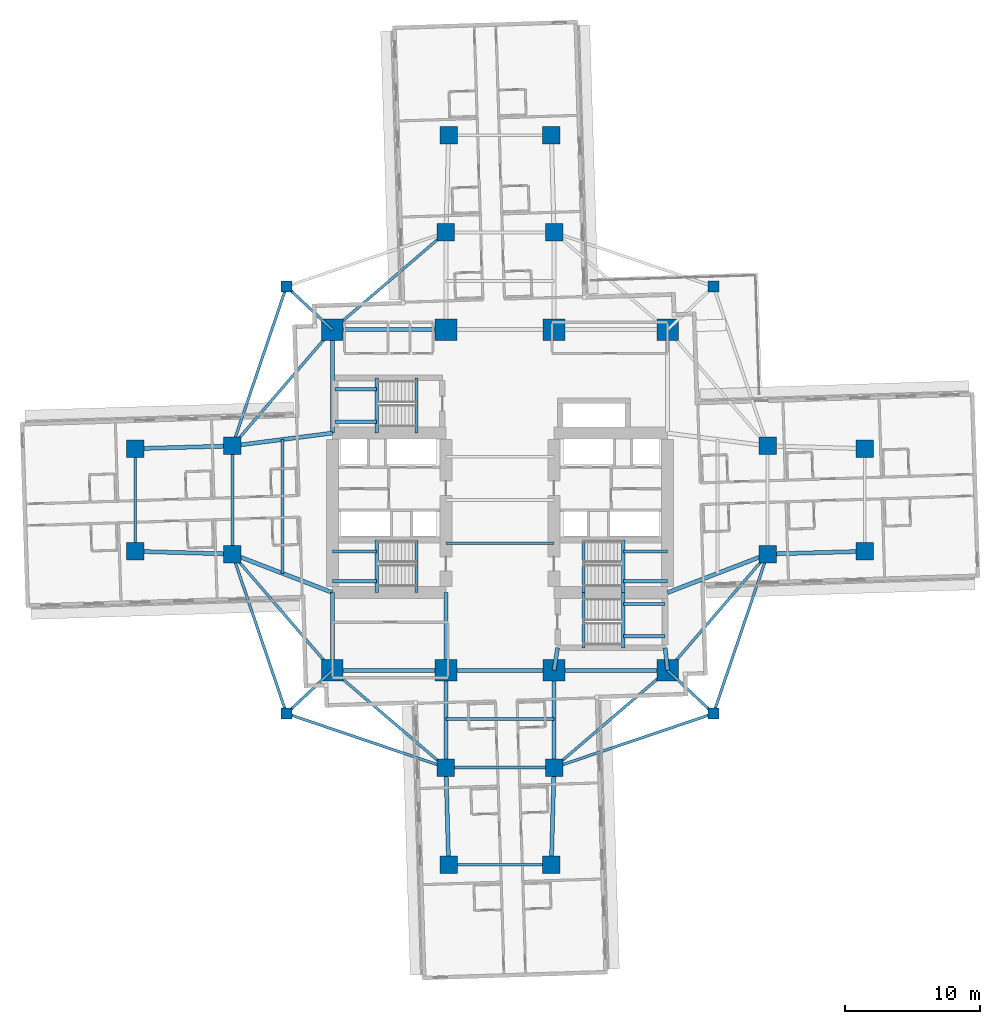
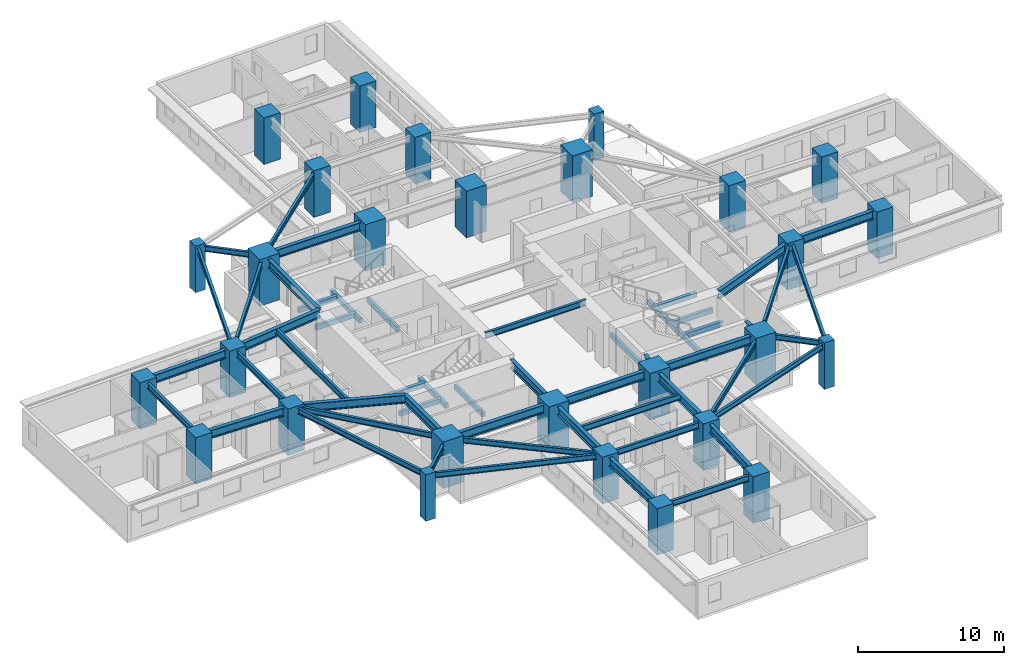
# One storey, part 1 of 15: 56 beams, 28 columns.
"""IFC4 building model written with IfcOpenShell, lengths in metres."""

from ifc_helpers import new_model, si_unit, direction, frame, origin, origin_2d, place, context, subcontext, project, spatial, rectangle, i_section, extrude, material, material_profile, profile_set, type_object, element, save


model = new_model("IFC4")

# Units and contexts
model_context = context("Model", 3, precision=1e-05, world=origin(), true_north=direction((0.0, 1.0)))
body_context = subcontext(model_context, "Body", "Model", "MODEL_VIEW")
ifc_project = project(units=[si_unit("LENGTHUNIT", "METRE"), si_unit("AREAUNIT", "SQUARE_METRE"), si_unit("VOLUMEUNIT", "CUBIC_METRE"), si_unit("PLANEANGLEUNIT", "RADIAN"), si_unit("MASSUNIT", "GRAM", prefix="KILO")], contexts=[model_context])

# Site, building, storey
site_placement = place(None, origin())
site = spatial("IfcSite", under=ifc_project, at=site_placement, CompositionType="ELEMENT")
building_placement = place(site_placement, origin())
building = spatial("IfcBuilding", under=site, at=building_placement, Name="Qingluan Cross Belvedere", CompositionType="ELEMENT")
storey_placement = place(building_placement, frame((0.0, 0.0, 31.5)))
storey = spatial("IfcBuildingStorey", under=building, at=storey_placement, Name="L08", CompositionType="ELEMENT", Elevation=31.5)

# Columns
ifc_material_1 = material(Name="Concrete C60", Category="concrete")
ifc_material_profile_1 = material_profile(ifc_material_1, rectangle(XDim=1.300048828125, YDim=1.300048828125, at=origin_2d()), Name="RC1300x1300")
ifc_profile_set_1 = profile_set([ifc_material_profile_1], Name="Concrete C60")
column_type_1 = type_object("IfcColumnType", Name="Column_RC1300x1300", PredefinedType="COLUMN", material=ifc_profile_set_1)
for number, where, z_axis, x_axis, name in (
    (1, (19.800048828125, -4.0, 0.0), (0.0, 0.0, 1.0), (1.0, 0.0, 0.0), "Arm column L08-EIA"),
    (2, (19.800048828125, 4.0, 0.0), (0.0, 0.0, 1.0), (1.0, 0.0, 0.0), "Arm column L08-EIB"),
    (3, (-19.800048828125, -4.0, 0.0), (0.0, 0.0, 1.0), (1.0, 0.0, 0.0), "Arm column L08-WIA"),
    (4, (-19.800048828125, 4.0, 0.0), (0.0, 0.0, 1.0), (1.0, 0.0, 0.0), "Arm column L08-WIB"),
    (5, (-4.0, -19.800048828125, 0.0), (0.0, 0.0, 1.0), (1.0, 0.0, 0.0), "Arm column L08-SIA"),
    (6, (4.0, -19.800048828125, 0.0), (0.0, 0.0, 1.0), (1.0, 0.0, 0.0), "Arm column L08-SIB"),
    (7, (-4.0, 19.800048828125, 0.0), (0.0, 0.0, 1.0), (1.0, 0.0, 0.0), "Arm column L08-NIA"),
    (8, (4.0, 19.800048828125, 0.0), (0.0, 0.0, 1.0), (1.0, 0.0, 0.0), "Arm column L08-NIB"),
    (9, (27.0, -3.800048828125, 0.0), (0.0, 0.0, 1.0), (1.0, 0.0, 0.0), "Arm column L08-EOA"),
    (10, (27.0, 3.800048828125, 0.0), (0.0, 0.0, 1.0), (1.0, 0.0, 0.0), "Arm column L08-EOB"),
    (11, (-27.0, -3.800048828125, 0.0), (0.0, 0.0, 1.0), (1.0, 0.0, 0.0), "Arm column L08-WOA"),
    (12, (-27.0, 3.800048828125, 0.0), (0.0, 0.0, 1.0), (1.0, 0.0, 0.0), "Arm column L08-WOB"),
    (13, (-3.800048828125, -27.0, 0.0), (0.0, 0.0, 1.0), (1.0, 0.0, 0.0), "Arm column L08-SOA"),
    (14, (3.800048828125, -27.0, 0.0), (0.0, 0.0, 1.0), (1.0, 0.0, 0.0), "Arm column L08-SOB"),
    (15, (-3.800048828125, 27.0, 0.0), (0.0, 0.0, 1.0), (1.0, 0.0, 0.0), "Arm column L08-NOA"),
    (16, (3.800048828125, 27.0, 0.0), (0.0, 0.0, 1.0), (1.0, 0.0, 0.0), "Arm column L08-NOB"),
):
    element("IfcColumn", number, at=place(storey_placement, frame(where, z_axis=z_axis, x_axis=x_axis)), inside=storey, type_object=column_type_1, Name=name, PredefinedType="COLUMN", context=body_context, shape_type="SweptSolid", body=[
        extrude(rectangle(XDim=1.300048828125, YDim=1.300048828125, at=origin_2d()), origin(), (0.0, 0.0, 1.0), 3.89990234375),
    ])
ifc_material_2 = material(Name="Concrete C70", Category="concrete")
ifc_material_profile_2 = material_profile(ifc_material_2, rectangle(XDim=1.60009765625, YDim=1.60009765625, at=origin_2d()), Name="RC1600x1600")
ifc_profile_set_2 = profile_set([ifc_material_profile_2], Name="Concrete C70")
column_type_2 = type_object("IfcColumnType", Name="Column_RC1600x1600", PredefinedType="COLUMN", material=ifc_profile_set_2)
for number, where, z_axis, x_axis, name in (
    (17, (-12.39990234375, -12.60009765625, 0.0), (0.0, 0.0, 1.0), (1.0, 0.0, 0.0), "Hub column L08-HC1"),
    (18, (12.39990234375, -12.60009765625, 0.0), (0.0, 0.0, 1.0), (1.0, 0.0, 0.0), "Hub column L08-HC2"),
    (19, (12.39990234375, 12.60009765625, 0.0), (0.0, 0.0, 1.0), (1.0, 0.0, 0.0), "Hub column L08-HC3"),
    (20, (-12.39990234375, 12.60009765625, 0.0), (0.0, 0.0, 1.0), (1.0, 0.0, 0.0), "Hub column L08-HC4"),
    (21, (-4.0, -12.60009765625, 0.0), (0.0, 0.0, 1.0), (1.0, 0.0, 0.0), "Hub column L08-HC5"),
    (22, (4.0, -12.60009765625, 0.0), (0.0, 0.0, 1.0), (1.0, 0.0, 0.0), "Hub column L08-HC6"),
    (23, (4.0, 12.60009765625, 0.0), (0.0, 0.0, 1.0), (1.0, 0.0, 0.0), "Hub column L08-HC7"),
    (24, (-4.0, 12.60009765625, 0.0), (0.0, 0.0, 1.0), (1.0, 0.0, 0.0), "Hub column L08-HC8"),
):
    element("IfcColumn", number, at=place(storey_placement, frame(where, z_axis=z_axis, x_axis=x_axis)), inside=storey, type_object=column_type_2, Name=name, PredefinedType="COLUMN", context=body_context, shape_type="SweptSolid", body=[
        extrude(rectangle(XDim=1.60009765625, YDim=1.60009765625, at=origin_2d()), origin(), (0.0, 0.0, 1.0), 3.89990234375),
    ])
ifc_material_3 = material(Name="Concrete C50", Category="concrete")
ifc_material_profile_3 = material_profile(ifc_material_3, rectangle(XDim=0.800048828125, YDim=0.800048828125, at=origin_2d()), Name="RC800x800")
ifc_profile_set_3 = profile_set([ifc_material_profile_3], Name="Concrete C50")
column_type_3 = type_object("IfcColumnType", Name="Column_RC800x800", PredefinedType="COLUMN", material=ifc_profile_set_3)
for number, where, z_axis, x_axis, name in (
    (25, (15.800048828125, 15.800048828125, 0.0), (0.0, 0.0, 1.0), (1.0, 0.0, 0.0), "Corner column L08-RNE"),
    (26, (-15.800048828125, 15.800048828125, 0.0), (0.0, 0.0, 1.0), (1.0, 0.0, 0.0), "Corner column L08-RNW"),
    (27, (-15.800048828125, -15.800048828125, 0.0), (0.0, 0.0, 1.0), (1.0, 0.0, 0.0), "Corner column L08-RSW"),
    (28, (15.800048828125, -15.800048828125, 0.0), (0.0, 0.0, 1.0), (1.0, 0.0, 0.0), "Corner column L08-RSE"),
):
    element("IfcColumn", number, at=place(storey_placement, frame(where, z_axis=z_axis, x_axis=x_axis)), inside=storey, type_object=column_type_3, Name=name, PredefinedType="COLUMN", context=body_context, shape_type="SweptSolid", body=[
        extrude(rectangle(XDim=0.800048828125, YDim=0.800048828125, at=origin_2d()), origin(), (0.0, 0.0, 1.0), 3.89990234375),
    ])

# Beams
ifc_material_4 = material(Name="Concrete C45", Category="concrete")
ifc_material_profile_4 = material_profile(ifc_material_4, rectangle(XDim=0.25, YDim=0.39990234375, at=origin_2d()), Name="RC250x400")
ifc_profile_set_4 = profile_set([ifc_material_profile_4], Name="Concrete C45")
beam_type_1 = type_object("IfcBeamType", Name="RC_Lintel_RC250x400", PredefinedType="LINTEL", material=ifc_profile_set_4)
for number, where, z_axis, x_axis, name in (
    (29, (-6.179931640625, -6.85009765625, -0.199951171875), (0.0, 1.0, 0.0), (-1.0, 0.0, 0.0), "Stair ST1 landing beam L08"),
    (30, (6.179931640625, -6.85009765625, -0.199951171875), (0.0, 1.0, 0.0), (-1.0, 0.0, 0.0), "Stair ST2 landing beam L08"),
):
    element("IfcBeam", number, at=place(storey_placement, frame(where, z_axis=z_axis, x_axis=x_axis)), inside=storey, type_object=beam_type_1, Name=name, PredefinedType="LINTEL", context=body_context, shape_type="SweptSolid", body=[
        extrude(rectangle(XDim=0.25, YDim=0.39990234375, at=origin_2d()), origin(), (0.0, 0.0, 1.0), 3.89013671875),
    ])
beam_1_placement = place(storey_placement, frame((-6.179931640625, 4.949951171875, -0.199951171875), z_axis=(0.0, 1.0, 0.0), x_axis=(-1.0, 0.0, 0.0)))
element("IfcBeam", 31, at=beam_1_placement, inside=storey, type_object=beam_type_1, Name="Stair ST3 landing beam L08", PredefinedType="LINTEL", context=body_context, shape_type="SweptSolid", body=[
    extrude(rectangle(XDim=0.25, YDim=0.39990234375, at=origin_2d()), origin(), (0.0, 0.0, 1.0), 4.090087890625),
])
beam_2_placement = place(storey_placement, frame((6.179931640625, -10.93994140625, -0.199951171875), z_axis=(0.0, 1.0, 0.0), x_axis=(-1.0, 0.0, 0.0)))
element("IfcBeam", 32, at=beam_2_placement, inside=storey, type_object=beam_type_1, Name="Stair ST4 landing beam L08", PredefinedType="LINTEL", context=body_context, shape_type="SweptSolid", body=[
    extrude(rectangle(XDim=0.25, YDim=0.39990234375, at=origin_2d()), origin(), (0.0, 0.0, 1.0), 4.08984375),
])
beam_3_placement = place(storey_placement, frame((-9.1298828125, -6.85009765625, 1.550048828125), z_axis=(0.0, 1.0, 0.0), x_axis=(-1.0, 0.0, 0.0)))
element("IfcBeam", 33, at=beam_3_placement, inside=storey, type_object=beam_type_1, Name="Stair ST1 beam A L08", PredefinedType="LINTEL", context=body_context, shape_type="SweptSolid", body=[
    extrude(rectangle(XDim=0.25, YDim=0.39990234375, at=origin_2d()), origin(), (0.0, 0.0, 1.0), 3.89013671875),
])
for number, where, z_axis, x_axis, name in (
    (34, (-12.39990234375, -6.0, 1.550048828125), (1.0, 0.0, 0.0), (0.0, 1.0, 0.0), "Stair ST1 beam B L08"),
    (35, (-12.39990234375, -3.81005859375, 1.550048828125), (1.0, 0.0, 0.0), (0.0, 1.0, 0.0), "Stair ST1 beam C L08"),
):
    element("IfcBeam", number, at=place(storey_placement, frame(where, z_axis=z_axis, x_axis=x_axis)), inside=storey, type_object=beam_type_1, Name=name, PredefinedType="LINTEL", context=body_context, shape_type="SweptSolid", body=[
        extrude(rectangle(XDim=0.25, YDim=0.39990234375, at=origin_2d()), origin(), (0.0, 0.0, 1.0), 3.27001953125),
    ])
beam_4_placement = place(storey_placement, frame((9.1298828125, -6.85009765625, 1.550048828125), z_axis=(0.0, 1.0, 0.0), x_axis=(-1.0, 0.0, 0.0)))
element("IfcBeam", 36, at=beam_4_placement, inside=storey, type_object=beam_type_1, Name="Stair ST2 beam A L08", PredefinedType="LINTEL", context=body_context, shape_type="SweptSolid", body=[
    extrude(rectangle(XDim=0.25, YDim=0.39990234375, at=origin_2d()), origin(), (0.0, 0.0, 1.0), 3.89013671875),
])
for number, where, z_axis, x_axis, name in (
    (37, (12.39990234375, -6.0, 1.550048828125), (-1.0, 0.0, 0.0), (0.0, -1.0, 0.0), "Stair ST2 beam B L08"),
    (38, (12.39990234375, -3.81005859375, 1.550048828125), (-1.0, 0.0, 0.0), (0.0, -1.0, 0.0), "Stair ST2 beam C L08"),
):
    element("IfcBeam", number, at=place(storey_placement, frame(where, z_axis=z_axis, x_axis=x_axis)), inside=storey, type_object=beam_type_1, Name=name, PredefinedType="LINTEL", context=body_context, shape_type="SweptSolid", body=[
        extrude(rectangle(XDim=0.25, YDim=0.39990234375, at=origin_2d()), origin(), (0.0, 0.0, 1.0), 3.27001953125),
    ])
beam_5_placement = place(storey_placement, frame((-9.1298828125, 4.949951171875, 1.550048828125), z_axis=(0.0, 1.0, 0.0), x_axis=(-1.0, 0.0, 0.0)))
element("IfcBeam", 39, at=beam_5_placement, inside=storey, type_object=beam_type_1, Name="Stair ST3 beam A L08", PredefinedType="LINTEL", context=body_context, shape_type="SweptSolid", body=[
    extrude(rectangle(XDim=0.25, YDim=0.39990234375, at=origin_2d()), origin(), (0.0, 0.0, 1.0), 4.090087890625),
])
for number, where, z_axis, x_axis, name in (
    (40, (-12.219970703125, 5.800048828125, 1.550048828125), (1.0, 0.0, 0.0), (0.0, 1.0, 0.0), "Stair ST3 beam B L08"),
    (41, (-12.219970703125, 8.18994140625, 1.550048828125), (1.0, 0.0, 0.0), (0.0, 1.0, 0.0), "Stair ST3 beam C L08"),
):
    element("IfcBeam", number, at=place(storey_placement, frame(where, z_axis=z_axis, x_axis=x_axis)), inside=storey, type_object=beam_type_1, Name=name, PredefinedType="LINTEL", context=body_context, shape_type="SweptSolid", body=[
        extrude(rectangle(XDim=0.25, YDim=0.39990234375, at=origin_2d()), origin(), (0.0, 0.0, 1.0), 3.090087890625),
    ])
beam_6_placement = place(storey_placement, frame((9.1298828125, -10.93994140625, 1.550048828125), z_axis=(0.0, 1.0, 0.0), x_axis=(-1.0, 0.0, 0.0)))
element("IfcBeam", 42, at=beam_6_placement, inside=storey, type_object=beam_type_1, Name="Stair ST4 beam A L08", PredefinedType="LINTEL", context=body_context, shape_type="SweptSolid", body=[
    extrude(rectangle(XDim=0.25, YDim=0.39990234375, at=origin_2d()), origin(), (0.0, 0.0, 1.0), 4.08984375),
])
for number, where, z_axis, x_axis, name in (
    (43, (12.219970703125, -10.090087890625, 1.550048828125), (-1.0, 0.0, 0.0), (0.0, -1.0, 0.0), "Stair ST4 beam B L08"),
    (44, (12.219970703125, -7.699951171875, 1.550048828125), (-1.0, 0.0, 0.0), (0.0, -1.0, 0.0), "Stair ST4 beam C L08"),
):
    element("IfcBeam", number, at=place(storey_placement, frame(where, z_axis=z_axis, x_axis=x_axis)), inside=storey, type_object=beam_type_1, Name=name, PredefinedType="LINTEL", context=body_context, shape_type="SweptSolid", body=[
        extrude(rectangle(XDim=0.25, YDim=0.39990234375, at=origin_2d()), origin(), (0.0, 0.0, 1.0), 3.090087890625),
    ])
ifc_material_5 = material(Name="Steel Q420GJB", Category="steel")
ifc_material_profile_5 = material_profile(ifc_material_5, i_section(OverallWidth=0.199951171875, OverallDepth=0.449951171875, WebThickness=0.009033203125, FlangeThickness=0.013916015625, FilletRadius=0.01611328125, at=origin_2d()), Name="HN450x200x9x14")
ifc_profile_set_5 = profile_set([ifc_material_profile_5], Name="Steel Q420GJB")
beam_type_2 = type_object("IfcBeamType", Name="Steel_Beam_HN450x200x9x14", PredefinedType="JOIST", material=ifc_profile_set_5)
beam_7_placement = place(storey_placement, frame((-12.39990234375, 12.60009765625, 3.455078125), z_axis=(-0.728219948308, 0.685343495546, 0.0), x_axis=(-0.685343495546, -0.728219948308, 0.0)))
element("IfcBeam", 45, at=beam_7_placement, inside=storey, type_object=beam_type_2, Name="Corner beam 1 L08-RNW", PredefinedType="JOIST", context=body_context, shape_type="SweptSolid", body=[
    extrude(i_section(OverallWidth=0.199951171875, OverallDepth=0.449951171875, WebThickness=0.009033203125, FlangeThickness=0.013916015625, FilletRadius=0.01611328125, at=origin_2d()), origin(), (0.0, 0.0, 1.0), 4.669189453125),
])
beam_8_placement = place(storey_placement, frame((-15.800048828125, 15.800048828125, 3.455078125), z_axis=(-0.321038089628, -0.947066283324, 0.0), x_axis=(0.947066283324, -0.321038089628, 0.0)))
element("IfcBeam", 46, at=beam_8_placement, inside=storey, type_object=beam_type_2, Name="Corner beam 3 L08-RNW", PredefinedType="JOIST", context=body_context, shape_type="SweptSolid", body=[
    extrude(i_section(OverallWidth=0.199951171875, OverallDepth=0.449951171875, WebThickness=0.009033203125, FlangeThickness=0.013916015625, FilletRadius=0.01611328125, at=origin_2d()), origin(), (0.0, 0.0, 1.0), 12.45947265625),
])
beam_9_placement = place(storey_placement, frame((-12.39990234375, 12.60009765625, 3.455078125), z_axis=(-0.652245077546, -0.75800815221, 0.0), x_axis=(0.75800815221, -0.652245077546, 0.0)))
element("IfcBeam", 47, at=beam_9_placement, inside=storey, type_object=beam_type_2, Name="Corner beam 4 L08-RNW", PredefinedType="JOIST", context=body_context, shape_type="SweptSolid", body=[
    extrude(i_section(OverallWidth=0.199951171875, OverallDepth=0.449951171875, WebThickness=0.009033203125, FlangeThickness=0.013916015625, FilletRadius=0.01611328125, at=origin_2d()), origin(), (0.0, 0.0, 1.0), 11.345703125),
])
beam_10_placement = place(storey_placement, frame((-12.39990234375, 12.60009765625, 3.455078125), z_axis=(0.759255044656, 0.650793190779, 0.0), x_axis=(-0.650793190779, 0.759255044656, 0.0)))
element("IfcBeam", 48, at=beam_10_placement, inside=storey, type_object=beam_type_2, Name="Corner beam 5 L08-RNW", PredefinedType="JOIST", context=body_context, shape_type="SweptSolid", body=[
    extrude(i_section(OverallWidth=0.199951171875, OverallDepth=0.449951171875, WebThickness=0.009033203125, FlangeThickness=0.013916015625, FilletRadius=0.01611328125, at=origin_2d()), origin(), (0.0, 0.0, 1.0), 11.063232421875),
])
beam_11_placement = place(storey_placement, frame((-12.39990234375, -12.60009765625, 3.47509765625), z_axis=(-0.728219948308, -0.685343495546, 0.0), x_axis=(0.685343495546, -0.728219948308, 0.0)))
element("IfcBeam", 49, at=beam_11_placement, inside=storey, type_object=beam_type_2, Name="Corner beam 1 L08-RSW", PredefinedType="JOIST", context=body_context, shape_type="SweptSolid", body=[
    extrude(i_section(OverallWidth=0.199951171875, OverallDepth=0.449951171875, WebThickness=0.009033203125, FlangeThickness=0.013916015625, FilletRadius=0.01611328125, at=origin_2d()), origin(), (0.0, 0.0, 1.0), 4.669189453125),
])
for number, where, z_axis, x_axis, name in (
    (50, (-15.800048828125, -15.800048828125, 3.47509765625), (0.947066283324, -0.321038089628, 0.0), (0.321038089628, 0.947066283324, 0.0), "Corner beam 2 L08-RSW"),
    (51, (-15.800048828125, -15.800048828125, 3.47509765625), (-0.321038089628, 0.947066283324, 0.0), (-0.947066283324, -0.321038089628, 0.0), "Corner beam 3 L08-RSW"),
):
    element("IfcBeam", number, at=place(storey_placement, frame(where, z_axis=z_axis, x_axis=x_axis)), inside=storey, type_object=beam_type_2, Name=name, PredefinedType="JOIST", context=body_context, shape_type="SweptSolid", body=[
        extrude(i_section(OverallWidth=0.199951171875, OverallDepth=0.449951171875, WebThickness=0.009033203125, FlangeThickness=0.013916015625, FilletRadius=0.01611328125, at=origin_2d()), origin(), (0.0, 0.0, 1.0), 12.45947265625),
    ])
beam_12_placement = place(storey_placement, frame((-12.39990234375, -12.60009765625, 3.47509765625), z_axis=(-0.652245077546, 0.75800815221, 0.0), x_axis=(-0.75800815221, -0.652245077546, 0.0)))
element("IfcBeam", 52, at=beam_12_placement, inside=storey, type_object=beam_type_2, Name="Corner beam 4 L08-RSW", PredefinedType="JOIST", context=body_context, shape_type="SweptSolid", body=[
    extrude(i_section(OverallWidth=0.199951171875, OverallDepth=0.449951171875, WebThickness=0.009033203125, FlangeThickness=0.013916015625, FilletRadius=0.01611328125, at=origin_2d()), origin(), (0.0, 0.0, 1.0), 11.345703125),
])
beam_13_placement = place(storey_placement, frame((-12.39990234375, -12.60009765625, 3.47509765625), z_axis=(0.759255044656, -0.650793190779, 0.0), x_axis=(0.650793190779, 0.759255044656, 0.0)))
element("IfcBeam", 53, at=beam_13_placement, inside=storey, type_object=beam_type_2, Name="Corner beam 5 L08-RSW", PredefinedType="JOIST", context=body_context, shape_type="SweptSolid", body=[
    extrude(i_section(OverallWidth=0.199951171875, OverallDepth=0.449951171875, WebThickness=0.009033203125, FlangeThickness=0.013916015625, FilletRadius=0.01611328125, at=origin_2d()), origin(), (0.0, 0.0, 1.0), 11.063232421875),
])
beam_14_placement = place(storey_placement, frame((12.39990234375, -12.60009765625, 3.47509765625), z_axis=(0.728219948308, -0.685343495546, 0.0), x_axis=(0.685343495546, 0.728219948308, 0.0)))
element("IfcBeam", 54, at=beam_14_placement, inside=storey, type_object=beam_type_2, Name="Corner beam 1 L08-RSE", PredefinedType="JOIST", context=body_context, shape_type="SweptSolid", body=[
    extrude(i_section(OverallWidth=0.199951171875, OverallDepth=0.449951171875, WebThickness=0.009033203125, FlangeThickness=0.013916015625, FilletRadius=0.01611328125, at=origin_2d()), origin(), (0.0, 0.0, 1.0), 4.669189453125),
])
for number, where, z_axis, x_axis, name in (
    (55, (15.800048828125, -15.800048828125, 3.47509765625), (-0.947066283324, -0.321038089628, 0.0), (0.321038089628, -0.947066283324, 0.0), "Corner beam 2 L08-RSE"),
    (56, (15.800048828125, -15.800048828125, 3.47509765625), (0.321038089628, 0.947066283324, 0.0), (-0.947066283324, 0.321038089628, 0.0), "Corner beam 3 L08-RSE"),
):
    element("IfcBeam", number, at=place(storey_placement, frame(where, z_axis=z_axis, x_axis=x_axis)), inside=storey, type_object=beam_type_2, Name=name, PredefinedType="JOIST", context=body_context, shape_type="SweptSolid", body=[
        extrude(i_section(OverallWidth=0.199951171875, OverallDepth=0.449951171875, WebThickness=0.009033203125, FlangeThickness=0.013916015625, FilletRadius=0.01611328125, at=origin_2d()), origin(), (0.0, 0.0, 1.0), 12.45947265625),
    ])
beam_15_placement = place(storey_placement, frame((12.39990234375, -12.60009765625, 3.47509765625), z_axis=(0.652245077546, 0.75800815221, 0.0), x_axis=(-0.75800815221, 0.652245077546, 0.0)))
element("IfcBeam", 57, at=beam_15_placement, inside=storey, type_object=beam_type_2, Name="Corner beam 4 L08-RSE", PredefinedType="JOIST", context=body_context, shape_type="SweptSolid", body=[
    extrude(i_section(OverallWidth=0.199951171875, OverallDepth=0.449951171875, WebThickness=0.009033203125, FlangeThickness=0.013916015625, FilletRadius=0.01611328125, at=origin_2d()), origin(), (0.0, 0.0, 1.0), 11.345703125),
])
beam_16_placement = place(storey_placement, frame((12.39990234375, -12.60009765625, 3.47509765625), z_axis=(-0.759255044656, -0.650793190779, 0.0), x_axis=(0.650793190779, -0.759255044656, 0.0)))
element("IfcBeam", 58, at=beam_16_placement, inside=storey, type_object=beam_type_2, Name="Corner beam 5 L08-RSE", PredefinedType="JOIST", context=body_context, shape_type="SweptSolid", body=[
    extrude(i_section(OverallWidth=0.199951171875, OverallDepth=0.449951171875, WebThickness=0.009033203125, FlangeThickness=0.013916015625, FilletRadius=0.01611328125, at=origin_2d()), origin(), (0.0, 0.0, 1.0), 11.063232421875),
])
ifc_material_6 = material(Name="Steel Q420GJB", Category="steel")
ifc_material_profile_6 = material_profile(ifc_material_6, i_section(OverallWidth=0.199951171875, OverallDepth=0.5, WebThickness=0.010009765625, FlangeThickness=0.01611328125, FilletRadius=0.01611328125, at=origin_2d()), Name="HN500x200x10x16")
ifc_profile_set_6 = profile_set([ifc_material_profile_6], Name="Steel Q420GJB")
beam_type_3 = type_object("IfcBeamType", Name="Steel_Beam_HN500x200x10x16", PredefinedType="JOIST", material=ifc_profile_set_6)
for number, where, z_axis, x_axis, name in (
    (59, (-4.0, -3.199951171875, 3.449951171875), (1.0, 0.0, 0.0), (0.0, 1.0, 0.0), "Hall beam L08-CH1"),
    (60, (-19.800048828125, -4.0, 3.449951171875), (0.0, 1.0, 0.0), (-1.0, 0.0, 0.0), "Arm W tie L08"),
):
    element("IfcBeam", number, at=place(storey_placement, frame(where, z_axis=z_axis, x_axis=x_axis)), inside=storey, type_object=beam_type_3, Name=name, PredefinedType="JOIST", context=body_context, shape_type="SweptSolid", body=[
        extrude(i_section(OverallWidth=0.199951171875, OverallDepth=0.5, WebThickness=0.010009765625, FlangeThickness=0.01611328125, FilletRadius=0.01611328125, at=origin_2d()), origin(), (0.0, 0.0, 1.0), 8.0),
    ])
beam_17_placement = place(storey_placement, frame((-16.10009765625, -5.425048828125, 3.449951171875), z_axis=(0.0, 1.0, 0.0), x_axis=(-1.0, 0.0, 0.0)))
element("IfcBeam", 61, at=beam_17_placement, inside=storey, type_object=beam_type_3, Name="Arm W beam L08", PredefinedType="JOIST", context=body_context, shape_type="SweptSolid", body=[
    extrude(i_section(OverallWidth=0.199951171875, OverallDepth=0.5, WebThickness=0.010009765625, FlangeThickness=0.01611328125, FilletRadius=0.01611328125, at=origin_2d()), origin(), (0.0, 0.0, 1.0), 9.900146484375),
])
beam_18_placement = place(storey_placement, frame((-27.0, -3.800048828125, 3.449951171875), z_axis=(0.0, 1.0, 0.0), x_axis=(-1.0, 0.0, 0.0)))
element("IfcBeam", 62, at=beam_18_placement, inside=storey, type_object=beam_type_3, Name="Arm W tip transverse beam L08", PredefinedType="JOIST", context=body_context, shape_type="SweptSolid", body=[
    extrude(i_section(OverallWidth=0.199951171875, OverallDepth=0.5, WebThickness=0.010009765625, FlangeThickness=0.01611328125, FilletRadius=0.01611328125, at=origin_2d()), origin(), (0.0, 0.0, 1.0), 7.60009765625),
])
for number, where, z_axis, x_axis, name in (
    (63, (-4.0, -19.800048828125, 3.449951171875), (1.0, 0.0, 0.0), (0.0, 1.0, 0.0), "Arm S tie L08"),
    (64, (-4.0, -16.199951171875, 3.449951171875), (1.0, 0.0, 0.0), (0.0, 1.0, 0.0), "Arm S beam L08"),
):
    element("IfcBeam", number, at=place(storey_placement, frame(where, z_axis=z_axis, x_axis=x_axis)), inside=storey, type_object=beam_type_3, Name=name, PredefinedType="JOIST", context=body_context, shape_type="SweptSolid", body=[
        extrude(i_section(OverallWidth=0.199951171875, OverallDepth=0.5, WebThickness=0.010009765625, FlangeThickness=0.01611328125, FilletRadius=0.01611328125, at=origin_2d()), origin(), (0.0, 0.0, 1.0), 8.0),
    ])
beam_19_placement = place(storey_placement, frame((-3.800048828125, -27.0, 3.449951171875), z_axis=(1.0, 0.0, 0.0), x_axis=(0.0, 1.0, 0.0)))
element("IfcBeam", 65, at=beam_19_placement, inside=storey, type_object=beam_type_3, Name="Arm S tip transverse beam L08", PredefinedType="JOIST", context=body_context, shape_type="SweptSolid", body=[
    extrude(i_section(OverallWidth=0.199951171875, OverallDepth=0.5, WebThickness=0.010009765625, FlangeThickness=0.01611328125, FilletRadius=0.01611328125, at=origin_2d()), origin(), (0.0, 0.0, 1.0), 7.60009765625),
])
ifc_material_7 = material(Name="Steel Q420GJB", Category="steel")
ifc_material_profile_7 = material_profile(ifc_material_7, i_section(OverallWidth=0.300048828125, OverallDepth=0.699951171875, WebThickness=0.014892578125, FlangeThickness=0.027099609375, FilletRadius=0.027099609375, at=origin_2d()), Name="HEB700")
ifc_profile_set_7 = profile_set([ifc_material_profile_7], Name="Steel Q420GJB")
beam_type_4 = type_object("IfcBeamType", Name="Steel_Girder_HEB700", PredefinedType="USERDEFINED", material=ifc_profile_set_7)
beam_20_placement = place(storey_placement, frame((-12.39990234375, -12.60009765625, 3.35009765625), z_axis=(1.0, 0.0, 0.0), x_axis=(0.0, 1.0, 0.0)))
element("IfcBeam", 66, at=beam_20_placement, inside=storey, type_object=beam_type_4, Name="Hub girder L08-HG-S1", ObjectType="GIRDER", PredefinedType="USERDEFINED", context=body_context, shape_type="SweptSolid", body=[
    extrude(i_section(OverallWidth=0.300048828125, OverallDepth=0.699951171875, WebThickness=0.014892578125, FlangeThickness=0.027099609375, FilletRadius=0.027099609375, at=origin_2d()), origin(), (0.0, 0.0, 1.0), 8.39990234375),
])
beam_21_placement = place(storey_placement, frame((-4.0, -12.60009765625, 3.35009765625), z_axis=(1.0, 0.0, 0.0), x_axis=(0.0, 1.0, 0.0)))
element("IfcBeam", 67, at=beam_21_placement, inside=storey, type_object=beam_type_4, Name="Hub girder L08-HG-S2", ObjectType="GIRDER", PredefinedType="USERDEFINED", context=body_context, shape_type="SweptSolid", body=[
    extrude(i_section(OverallWidth=0.300048828125, OverallDepth=0.699951171875, WebThickness=0.014892578125, FlangeThickness=0.027099609375, FilletRadius=0.027099609375, at=origin_2d()), origin(), (0.0, 0.0, 1.0), 8.0),
])
for number, where, z_axis, x_axis, name in (
    (68, (4.0, -12.60009765625, 3.35009765625), (1.0, 0.0, 0.0), (0.0, 1.0, 0.0), "Hub girder L08-HG-S3"),
    (69, (-12.39990234375, 12.60009765625, 3.35009765625), (1.0, 0.0, 0.0), (0.0, 1.0, 0.0), "Hub girder L08-HG-N1"),
):
    element("IfcBeam", number, at=place(storey_placement, frame(where, z_axis=z_axis, x_axis=x_axis)), inside=storey, type_object=beam_type_4, Name=name, ObjectType="GIRDER", PredefinedType="USERDEFINED", context=body_context, shape_type="SweptSolid", body=[
        extrude(i_section(OverallWidth=0.300048828125, OverallDepth=0.699951171875, WebThickness=0.014892578125, FlangeThickness=0.027099609375, FilletRadius=0.027099609375, at=origin_2d()), origin(), (0.0, 0.0, 1.0), 8.39990234375),
    ])
beam_22_placement = place(storey_placement, frame((-12.39990234375, -12.60009765625, 3.35009765625), z_axis=(0.0, 1.0, 0.0), x_axis=(-1.0, 0.0, 0.0)))
element("IfcBeam", 70, at=beam_22_placement, inside=storey, type_object=beam_type_4, Name="Hub girder L08-HG-W1", ObjectType="GIRDER", PredefinedType="USERDEFINED", context=body_context, shape_type="SweptSolid", body=[
    extrude(i_section(OverallWidth=0.300048828125, OverallDepth=0.699951171875, WebThickness=0.014892578125, FlangeThickness=0.027099609375, FilletRadius=0.027099609375, at=origin_2d()), origin(), (0.0, 0.0, 1.0), 5.75),
])
beam_23_placement = place(storey_placement, frame((-12.39990234375, 4.949951171875, 3.35009765625), z_axis=(0.0, 1.0, 0.0), x_axis=(-1.0, 0.0, 0.0)))
element("IfcBeam", 71, at=beam_23_placement, inside=storey, type_object=beam_type_4, Name="Hub girder L08-HG-W2", ObjectType="GIRDER", PredefinedType="USERDEFINED", context=body_context, shape_type="SweptSolid", body=[
    extrude(i_section(OverallWidth=0.300048828125, OverallDepth=0.699951171875, WebThickness=0.014892578125, FlangeThickness=0.027099609375, FilletRadius=0.027099609375, at=origin_2d()), origin(), (0.0, 0.0, 1.0), 7.650146484375),
])
beam_24_placement = place(storey_placement, frame((12.39990234375, -12.60009765625, 3.35009765625), z_axis=(-0.107751337451, 0.994177876075, 0.0), x_axis=(-0.994177876075, -0.107751337451, 0.0)))
element("IfcBeam", 72, at=beam_24_placement, inside=storey, type_object=beam_type_4, Name="Hub girder L08-HG-E1", ObjectType="GIRDER", PredefinedType="USERDEFINED", context=body_context, shape_type="SweptSolid", body=[
    extrude(i_section(OverallWidth=0.300048828125, OverallDepth=0.699951171875, WebThickness=0.014892578125, FlangeThickness=0.027099609375, FilletRadius=0.027099609375, at=origin_2d()), origin(), (0.0, 0.0, 1.0), 1.669921875),
])
beam_25_placement = place(storey_placement, frame((-4.0, -12.60009765625, 3.35009765625), z_axis=(0.0, 1.0, 0.0), x_axis=(-1.0, 0.0, 0.0)))
element("IfcBeam", 73, at=beam_25_placement, inside=storey, type_object=beam_type_4, Name="Hub girder L08-HG-CW", ObjectType="GIRDER", PredefinedType="USERDEFINED", context=body_context, shape_type="SweptSolid", body=[
    extrude(i_section(OverallWidth=0.300048828125, OverallDepth=0.699951171875, WebThickness=0.014892578125, FlangeThickness=0.027099609375, FilletRadius=0.027099609375, at=origin_2d()), origin(), (0.0, 0.0, 1.0), 5.75),
])
beam_26_placement = place(storey_placement, frame((4.0, -12.60009765625, 3.35009765625), z_axis=(0.154731433337, 0.987956569662, 0.0), x_axis=(-0.987956569662, 0.154731433337, 0.0)))
element("IfcBeam", 74, at=beam_26_placement, inside=storey, type_object=beam_type_4, Name="Hub girder L08-HG-CE", ObjectType="GIRDER", PredefinedType="USERDEFINED", context=body_context, shape_type="SweptSolid", body=[
    extrude(i_section(OverallWidth=0.300048828125, OverallDepth=0.699951171875, WebThickness=0.014892578125, FlangeThickness=0.027099609375, FilletRadius=0.027099609375, at=origin_2d()), origin(), (0.0, 0.0, 1.0), 1.680419921875),
])
beam_27_placement = place(storey_placement, frame((12.39990234375, -6.85009765625, 3.35009765625), z_axis=(0.933181258889, 0.359406090735, 0.0), x_axis=(-0.359406090735, 0.933181258889, 0.0)))
element("IfcBeam", 75, at=beam_27_placement, inside=storey, type_object=beam_type_4, Name="Arm E radial girder A L08", ObjectType="GIRDER", PredefinedType="USERDEFINED", context=body_context, shape_type="SweptSolid", body=[
    extrude(i_section(OverallWidth=0.300048828125, OverallDepth=0.699951171875, WebThickness=0.014892578125, FlangeThickness=0.027099609375, FilletRadius=0.027099609375, at=origin_2d()), origin(), (0.0, 0.0, 1.0), 7.929931640625),
])
beam_28_placement = place(storey_placement, frame((19.800048828125, -4.0, 3.35009765625), z_axis=(0.999614603568, 0.027760481514, 0.0), x_axis=(-0.027760481514, 0.999614603568, 0.0)))
element("IfcBeam", 76, at=beam_28_placement, inside=storey, type_object=beam_type_4, Name="Arm E outer radial girder A L08", ObjectType="GIRDER", PredefinedType="USERDEFINED", context=body_context, shape_type="SweptSolid", body=[
    extrude(i_section(OverallWidth=0.300048828125, OverallDepth=0.699951171875, WebThickness=0.014892578125, FlangeThickness=0.027099609375, FilletRadius=0.027099609375, at=origin_2d()), origin(), (0.0, 0.0, 1.0), 7.20263671875),
])
beam_29_placement = place(storey_placement, frame((-12.39990234375, -6.85009765625, 3.35009765625), z_axis=(-0.933181258889, 0.359406090735, 0.0), x_axis=(-0.359406090735, -0.933181258889, 0.0)))
element("IfcBeam", 77, at=beam_29_placement, inside=storey, type_object=beam_type_4, Name="Arm W radial girder A L08", ObjectType="GIRDER", PredefinedType="USERDEFINED", context=body_context, shape_type="SweptSolid", body=[
    extrude(i_section(OverallWidth=0.300048828125, OverallDepth=0.699951171875, WebThickness=0.014892578125, FlangeThickness=0.027099609375, FilletRadius=0.027099609375, at=origin_2d()), origin(), (0.0, 0.0, 1.0), 7.929931640625),
])
beam_30_placement = place(storey_placement, frame((-12.39990234375, 4.949951171875, 3.35009765625), z_axis=(-0.991861120628, -0.12732445714, 0.0), x_axis=(0.12732445714, -0.991861120628, 0.0)))
element("IfcBeam", 78, at=beam_30_placement, inside=storey, type_object=beam_type_4, Name="Arm W radial girder B L08", ObjectType="GIRDER", PredefinedType="USERDEFINED", context=body_context, shape_type="SweptSolid", body=[
    extrude(i_section(OverallWidth=0.300048828125, OverallDepth=0.699951171875, WebThickness=0.014892578125, FlangeThickness=0.027099609375, FilletRadius=0.027099609375, at=origin_2d()), origin(), (0.0, 0.0, 1.0), 7.4609375),
])
for number, where, z_axis, x_axis, name in (
    (79, (-19.800048828125, -4.0, 3.35009765625), (-0.999614603568, 0.027760481514, 0.0), (-0.027760481514, -0.999614603568, 0.0), "Arm W outer radial girder A L08"),
    (80, (-19.800048828125, 4.0, 3.35009765625), (-0.999614603568, -0.027760481514, 0.0), (0.027760481514, -0.999614603568, 0.0), "Arm W outer radial girder B L08"),
):
    element("IfcBeam", number, at=place(storey_placement, frame(where, z_axis=z_axis, x_axis=x_axis)), inside=storey, type_object=beam_type_4, Name=name, ObjectType="GIRDER", PredefinedType="USERDEFINED", context=body_context, shape_type="SweptSolid", body=[
        extrude(i_section(OverallWidth=0.300048828125, OverallDepth=0.699951171875, WebThickness=0.014892578125, FlangeThickness=0.027099609375, FilletRadius=0.027099609375, at=origin_2d()), origin(), (0.0, 0.0, 1.0), 7.20263671875),
    ])
for number, where, z_axis, x_axis, name in (
    (81, (-4.0, -12.60009765625, 3.35009765625), (0.0, -1.0, 0.0), (1.0, 0.0, 0.0), "Arm S radial girder A L08"),
    (82, (4.0, -12.60009765625, 3.35009765625), (0.0, -1.0, 0.0), (1.0, 0.0, 0.0), "Arm S radial girder B L08"),
):
    element("IfcBeam", number, at=place(storey_placement, frame(where, z_axis=z_axis, x_axis=x_axis)), inside=storey, type_object=beam_type_4, Name=name, ObjectType="GIRDER", PredefinedType="USERDEFINED", context=body_context, shape_type="SweptSolid", body=[
        extrude(i_section(OverallWidth=0.300048828125, OverallDepth=0.699951171875, WebThickness=0.014892578125, FlangeThickness=0.027099609375, FilletRadius=0.027099609375, at=origin_2d()), origin(), (0.0, 0.0, 1.0), 7.199951171875),
    ])
for number, where, z_axis, x_axis, name in (
    (83, (-4.0, -19.800048828125, 3.35009765625), (0.027760481514, -0.999614603568, 0.0), (0.999614603568, 0.027760481514, 0.0), "Arm S outer radial girder A L08"),
    (84, (4.0, -19.800048828125, 3.35009765625), (-0.027760481514, -0.999614603568, 0.0), (0.999614603568, -0.027760481514, 0.0), "Arm S outer radial girder B L08"),
):
    element("IfcBeam", number, at=place(storey_placement, frame(where, z_axis=z_axis, x_axis=x_axis)), inside=storey, type_object=beam_type_4, Name=name, ObjectType="GIRDER", PredefinedType="USERDEFINED", context=body_context, shape_type="SweptSolid", body=[
        extrude(i_section(OverallWidth=0.300048828125, OverallDepth=0.699951171875, WebThickness=0.014892578125, FlangeThickness=0.027099609375, FilletRadius=0.027099609375, at=origin_2d()), origin(), (0.0, 0.0, 1.0), 7.20263671875),
    ])

save(model, "model.ifc")
